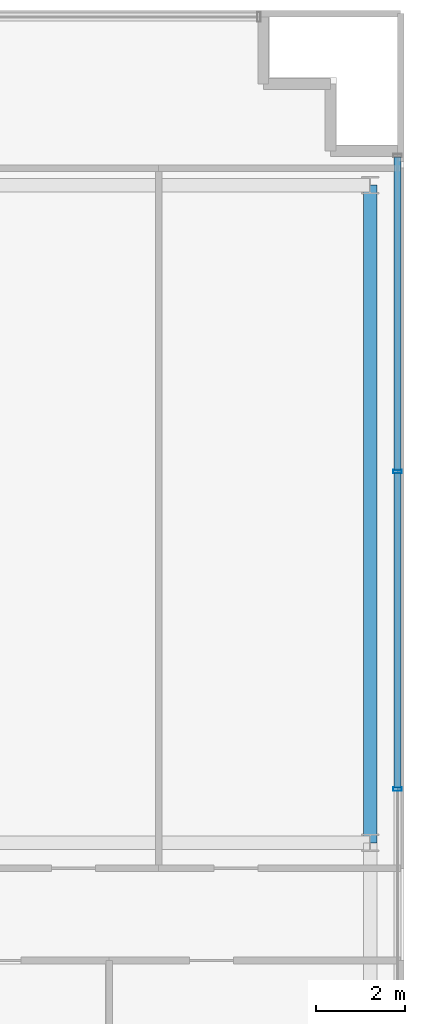
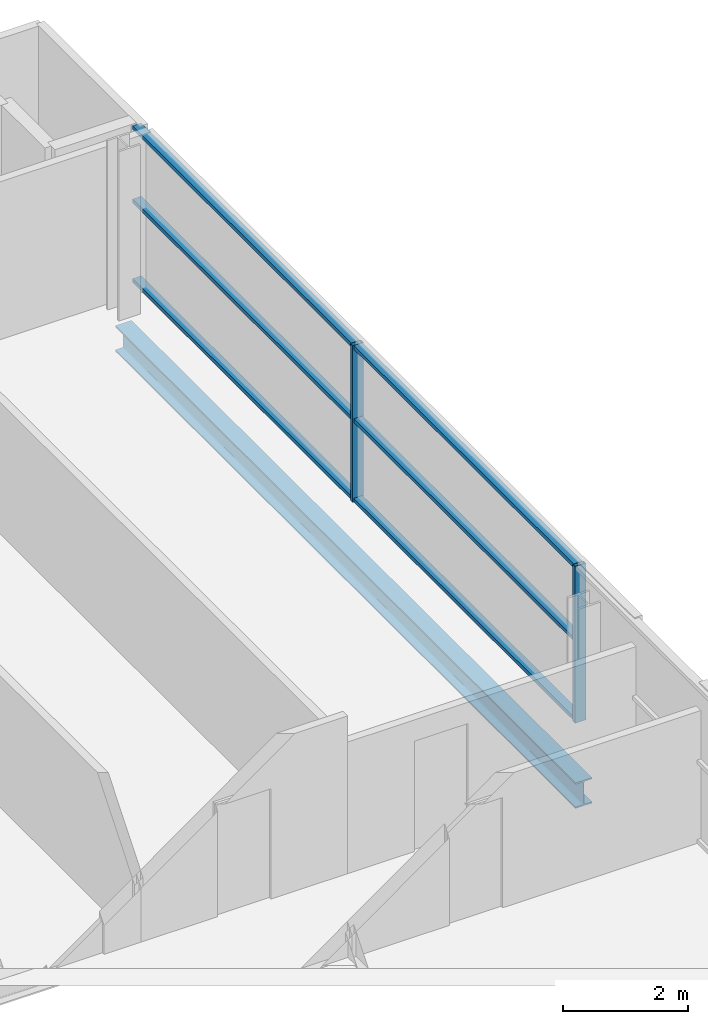
# One storey, part 9 of 22: 8 members, 1 beam, 1 element without a shape of its own.
"""IFC4 building model written with IfcOpenShell, lengths in metres."""

from ifc_helpers import new_model, si_unit, direction, frame, origin, origin_2d, place, context, subcontext, project, spatial, hollow_rectangle, i_section, extrude, source, transform, mapped, material, layer, layer_set, material_profile, profile_set, type_object, element, aggregate, save


model = new_model("IFC4")

# Units and contexts
model_context = context("Model", 3, precision=1e-05, world=origin(), true_north=direction((0.0, 1.0)))
body_context = subcontext(model_context, "Body", "Model", "MODEL_VIEW")
ifc_project = project(units=[si_unit("LENGTHUNIT", "METRE"), si_unit("AREAUNIT", "SQUARE_METRE"), si_unit("VOLUMEUNIT", "CUBIC_METRE"), si_unit("PLANEANGLEUNIT", "RADIAN"), si_unit("MASSUNIT", "GRAM", prefix="KILO")], contexts=[model_context])

# Site, building, storey
site_placement = place(None, origin())
site = spatial("IfcSite", under=ifc_project, at=site_placement, CompositionType="ELEMENT")
building_placement = place(site_placement, origin())
building = spatial("IfcBuilding", under=site, at=building_placement, Name="Zarnakvel Exchange Tower", CompositionType="ELEMENT")
storey_placement = place(building_placement, frame((0.0, 0.0, 192.39990234375)))
storey = spatial("IfcBuildingStorey", under=building, at=storey_placement, Name="L54", CompositionType="ELEMENT", Elevation=192.39990234375)

# Beam
ifc_material_1 = material(Name="Steel S355", Category="steel")
ifc_material_profile_1 = material_profile(ifc_material_1, i_section(OverallWidth=0.300048828125, OverallDepth=0.5, WebThickness=0.014404296875, FlangeThickness=0.028076171875, FilletRadius=0.027099609375, at=origin_2d()))
ifc_profile_set_1 = profile_set([ifc_material_profile_1], Name="Steel S355")
beam_type = type_object("IfcBeamType", Name="SP-02", PredefinedType="SPANDREL", material=ifc_profile_set_1)
beam_placement = place(storey_placement, frame((25.85009765625, -1.199951171875, -0.474853515625), z_axis=(0.0, 1.0, 0.0), x_axis=(-1.0, 0.0, 0.0)))
element("IfcBeam", 1, at=beam_placement, inside=storey, type_object=beam_type, Name="L54 Tower N-S Frame Beam", PredefinedType="SPANDREL", context=body_context, shape_type="SweptSolid", body=[
    extrude(i_section(OverallWidth=0.300048828125, OverallDepth=0.5, WebThickness=0.014404296875, FlangeThickness=0.028076171875, FilletRadius=0.027099609375, at=origin_2d()), origin(), (0.0, 0.0, 1.0), 14.699951171875),
])

# Curtain wall, members
ifc_material_2 = material(Name="Architectural Bronze Anodised Aluminium", Category="aluminium")
ifc_layer = layer(ifc_material_2, 0.199951171875)
ifc_layer_set = layer_set([ifc_layer], Name="Architectural Bronze Anodised Aluminium")
curtain_wall_type = type_object("IfcCurtainWallType", Name="CW-04", PredefinedType="NOTDEFINED", material=ifc_layer_set)
curtain_wall_placement = place(storey_placement, origin())
curtain_wall = element("IfcCurtainWall", 2, at=curtain_wall_placement, inside=storey, type_object=curtain_wall_type, Name="L54 Curtain Wall CW-L54-E1 (CW-04)", PredefinedType="NOTDEFINED")
ifc_material_profile_2 = material_profile(ifc_material_2, hollow_rectangle(XDim=0.199951171875, YDim=0.074951171875, WallThickness=0.0048828125, at=origin_2d()))
ifc_profile_set_2 = profile_set([ifc_material_profile_2], Name="Architectural Bronze Anodised Aluminium")
member_type_1 = type_object("IfcMemberType", Name="CWM-04", PredefinedType="MULLION", material=ifc_profile_set_2)
shared_shape_1 = source(origin(), body_context, "Body", "SweptSolid", [
    extrude(hollow_rectangle(XDim=0.199951171875, YDim=0.074951171875, WallThickness=0.0048828125, at=origin_2d()), origin(), (0.0, 0.0, 1.0), 3.05517578125),
])
member_1_placement = place(storey_placement, frame((26.4599609375, 0.0, 0.0), z_axis=(0.0, 0.0, 1.0), x_axis=(-1.0, 0.0, 0.0)))
member_1 = element("IfcMember", 3, at=member_1_placement, type_object=member_type_1, Name="CW-04 mullion 3", PredefinedType="MULLION", context=body_context, shape_type="MappedRepresentation", body=[
    mapped(shared_shape_1, transform((0.0, 0.0, 0.0), x_axis=(1.0, 0.0, 0.0), y_axis=(0.0, 1.0, 0.0), z_axis=(0.0, 0.0, 1.0), scale=1.0)),
])
member_2_placement = place(storey_placement, frame((26.4599609375, 7.10009765625, 0.0), z_axis=(0.0, 0.0, 1.0), x_axis=(-1.0, 0.0, 0.0)))
member_2 = element("IfcMember", 4, at=member_2_placement, type_object=member_type_1, Name="CW-04 mullion 4", PredefinedType="MULLION", context=body_context, shape_type="MappedRepresentation", body=[
    mapped(shared_shape_1, transform((0.0, 0.0, 0.0), x_axis=(1.0, 0.0, 0.0), y_axis=(0.0, 1.0, 0.0), z_axis=(0.0, 0.0, 1.0), scale=1.0)),
])
ifc_material_profile_3 = material_profile(ifc_material_2, hollow_rectangle(XDim=0.159912109375, YDim=0.074951171875, WallThickness=0.00390625, at=origin_2d()))
ifc_profile_set_3 = profile_set([ifc_material_profile_3], Name="Architectural Bronze Anodised Aluminium")
member_type_2 = type_object("IfcMemberType", Name="CWT-04", PredefinedType="USERDEFINED", material=ifc_profile_set_3)
shared_shape_2 = source(origin(), body_context, "Body", "SweptSolid", [
    extrude(hollow_rectangle(XDim=0.159912109375, YDim=0.074951171875, WallThickness=0.00390625, at=origin_2d()), origin(), (0.0, 0.0, 1.0), 6.987548828125),
])
member_3_placement = place(storey_placement, frame((26.4599609375, 7.137451171875, 0.03759765625), z_axis=(0.0, 1.0, 0.0), x_axis=(-1.0, 0.0, 0.0)))
member_3 = element("IfcMember", 5, at=member_3_placement, type_object=member_type_2, Name="CW-04 transom 4.1", ObjectType="TRANSOM", PredefinedType="USERDEFINED", context=body_context, shape_type="MappedRepresentation", body=[
    mapped(shared_shape_2, transform((0.0, 0.0, 0.0), x_axis=(1.0, 0.0, 0.0), y_axis=(0.0, 1.0, 0.0), z_axis=(0.0, 0.0, 1.0), scale=1.0)),
])
member_4_placement = place(storey_placement, frame((26.4599609375, 7.137451171875, 1.588623046875), z_axis=(0.0, 1.0, 0.0), x_axis=(-1.0, 0.0, 0.0)))
member_4 = element("IfcMember", 6, at=member_4_placement, type_object=member_type_2, Name="CW-04 transom 4.2", ObjectType="TRANSOM", PredefinedType="USERDEFINED", context=body_context, shape_type="MappedRepresentation", body=[
    mapped(shared_shape_2, transform((0.0, 0.0, 0.0), x_axis=(1.0, 0.0, 0.0), y_axis=(0.0, 1.0, 0.0), z_axis=(0.0, 0.0, 1.0), scale=1.0)),
])
member_5_placement = place(storey_placement, frame((26.4599609375, 7.137451171875, 3.017578125), z_axis=(0.0, 1.0, 0.0), x_axis=(-1.0, 0.0, 0.0)))
member_5 = element("IfcMember", 7, at=member_5_placement, type_object=member_type_2, Name="CW-04 transom 4.3", ObjectType="TRANSOM", PredefinedType="USERDEFINED", context=body_context, shape_type="MappedRepresentation", body=[
    mapped(shared_shape_2, transform((0.0, 0.0, 0.0), x_axis=(1.0, 0.0, 0.0), y_axis=(0.0, 1.0, 0.0), z_axis=(0.0, 0.0, 1.0), scale=1.0)),
])
shared_shape_3 = source(origin(), body_context, "Body", "SweptSolid", [
    extrude(hollow_rectangle(XDim=0.159912109375, YDim=0.074951171875, WallThickness=0.00390625, at=origin_2d()), origin(), (0.0, 0.0, 1.0), 7.02490234375),
])
member_6_placement = place(storey_placement, frame((26.4599609375, 0.03759765625, 0.03759765625), z_axis=(0.0, 1.0, 0.0), x_axis=(-1.0, 0.0, 0.0)))
member_6 = element("IfcMember", 8, at=member_6_placement, type_object=member_type_2, Name="CW-04 transom 3.1", ObjectType="TRANSOM", PredefinedType="USERDEFINED", context=body_context, shape_type="MappedRepresentation", body=[
    mapped(shared_shape_3, transform((0.0, 0.0, 0.0), x_axis=(1.0, 0.0, 0.0), y_axis=(0.0, 1.0, 0.0), z_axis=(0.0, 0.0, 1.0), scale=1.0)),
])
member_7_placement = place(storey_placement, frame((26.4599609375, 0.03759765625, 1.588623046875), z_axis=(0.0, 1.0, 0.0), x_axis=(-1.0, 0.0, 0.0)))
member_7 = element("IfcMember", 9, at=member_7_placement, type_object=member_type_2, Name="CW-04 transom 3.2", ObjectType="TRANSOM", PredefinedType="USERDEFINED", context=body_context, shape_type="MappedRepresentation", body=[
    mapped(shared_shape_3, transform((0.0, 0.0, 0.0), x_axis=(1.0, 0.0, 0.0), y_axis=(0.0, 1.0, 0.0), z_axis=(0.0, 0.0, 1.0), scale=1.0)),
])
member_8_placement = place(storey_placement, frame((26.4599609375, 0.03759765625, 3.017578125), z_axis=(0.0, 1.0, 0.0), x_axis=(-1.0, 0.0, 0.0)))
member_8 = element("IfcMember", 10, at=member_8_placement, type_object=member_type_2, Name="CW-04 transom 3.3", ObjectType="TRANSOM", PredefinedType="USERDEFINED", context=body_context, shape_type="MappedRepresentation", body=[
    mapped(shared_shape_3, transform((0.0, 0.0, 0.0), x_axis=(1.0, 0.0, 0.0), y_axis=(0.0, 1.0, 0.0), z_axis=(0.0, 0.0, 1.0), scale=1.0)),
])
aggregate(curtain_wall, [member_1, member_2, member_6, member_7, member_8, member_3, member_4, member_5])

save(model, "model.ifc")
